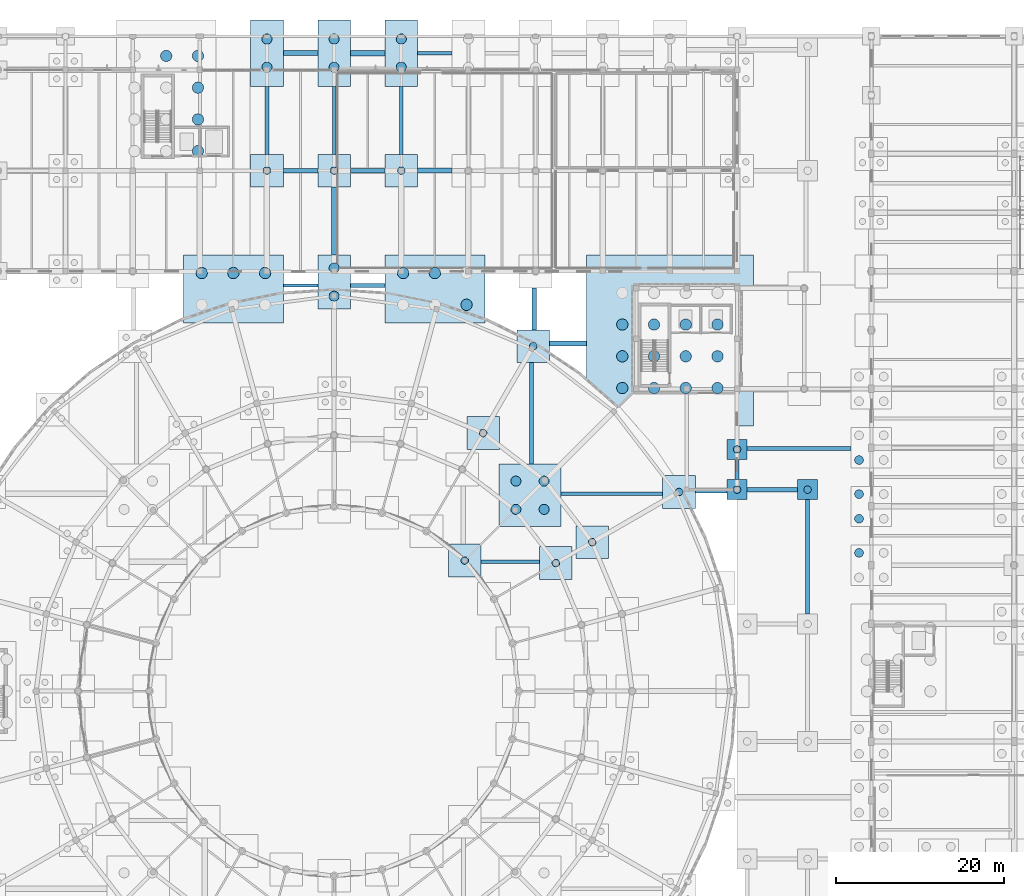
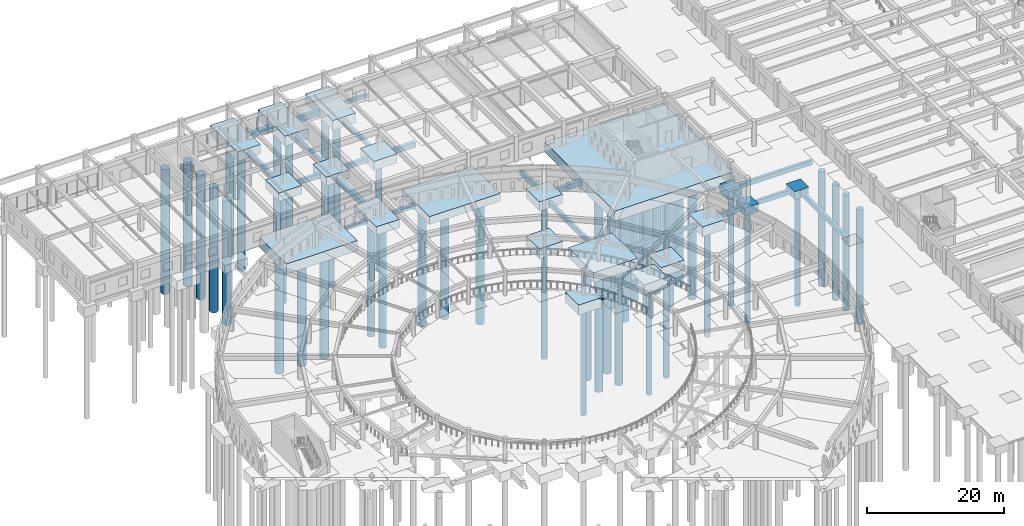
# One storey, part 6 of 84: 51 piles, 42 footings.
"""IFC4 building model written with IfcOpenShell, lengths in metres."""

from ifc_helpers import new_model, si_unit, direction, frame, origin, origin_2d, place, context, subcontext, project, spatial, rectangle, circle, extrude, material, material_profile, profile_set, type_object, element, save


model = new_model("IFC4")

# Units and contexts
model_context = context("Model", 3, precision=1e-05, world=origin(), true_north=direction((0.0, 1.0)))
body_context = subcontext(model_context, "Body", "Model", "MODEL_VIEW")
ifc_project = project(units=[si_unit("LENGTHUNIT", "METRE"), si_unit("AREAUNIT", "SQUARE_METRE"), si_unit("VOLUMEUNIT", "CUBIC_METRE"), si_unit("PLANEANGLEUNIT", "RADIAN"), si_unit("MASSUNIT", "GRAM", prefix="KILO")], contexts=[model_context])

# Site, building, storey
site_placement = place(None, origin())
site = spatial("IfcSite", under=ifc_project, at=site_placement, CompositionType="ELEMENT")
building_placement = place(site_placement, origin())
building = spatial("IfcBuilding", under=site, at=building_placement, Name="Larkveld Mobility Hub", CompositionType="ELEMENT")
storey_placement = place(building_placement, origin())
storey = spatial("IfcBuildingStorey", under=building, at=storey_placement, Name="L00", CompositionType="ELEMENT", Elevation=0.0)

# Footings
ifc_material = material(Name="Concrete C35/45", Category="concrete")
ifc_material_profile_1 = material_profile(ifc_material, rectangle(XDim=0.39990234375, YDim=0.60009765625, at=origin_2d()), Name="RC BM 400x600")
ifc_profile_set_1 = profile_set([ifc_material_profile_1], Name="Concrete C35/45")
footing_type_1 = type_object("IfcFootingType", Name="FT-FB01", PredefinedType="FOOTING_BEAM", material=ifc_profile_set_1)
footing_1_placement = place(storey_placement, frame((65.506103515625, 63.403076171875, -0.64990234375), z_axis=(1.0, 0.0, 0.0), x_axis=(0.0, 1.0, 0.0)))
element("IfcFooting", 1, at=footing_1_placement, inside=storey, type_object=footing_type_1, Name="Ground Tie Beam GB-037", PredefinedType="FOOTING_BEAM", context=body_context, shape_type="SweptSolid", body=[
    extrude(rectangle(XDim=0.39990234375, YDim=0.60009765625, at=origin_2d()), origin(), (0.0, 0.0, 1.0), 6.9580078125),
])
footing_2_placement = place(storey_placement, frame((75.052001953125, 71.529052734375, -0.64990234375), z_axis=(1.0, 0.0, 0.0), x_axis=(0.0, 1.0, 0.0)))
element("IfcFooting", 2, at=footing_2_placement, inside=storey, type_object=footing_type_1, Name="Ground Tie Beam GB-043", PredefinedType="FOOTING_BEAM", context=body_context, shape_type="SweptSolid", body=[
    extrude(rectangle(XDim=0.39990234375, YDim=0.60009765625, at=origin_2d()), origin(), (0.0, 0.0, 1.0), 12.091064453125),
])
for number, where, z_axis, x_axis, name in (
    (3, (41.949951171875, 96.320068359375, -0.64990234375), (1.0, 0.0, 0.0), (0.0, 1.0, 0.0), "Ground Tie Beam GB-055"),
    (4, (57.949951171875, 124.0, -0.64990234375), (1.0, 0.0, 0.0), (0.0, 1.0, 0.0), "Ground Tie Beam GB-085"),
):
    element("IfcFooting", number, at=place(storey_placement, frame(where, z_axis=z_axis, x_axis=x_axis)), inside=storey, type_object=footing_type_1, Name=name, PredefinedType="FOOTING_BEAM", context=body_context, shape_type="SweptSolid", body=[
        extrude(rectangle(XDim=0.39990234375, YDim=0.60009765625, at=origin_2d()), origin(), (0.0, 0.0, 1.0), 4.10009765625),
    ])
footing_3_placement = place(storey_placement, frame((48.0, 111.949951171875, -0.64990234375), z_axis=(0.0, 1.0, 0.0), x_axis=(-1.0, 0.0, 0.0)))
element("IfcFooting", 5, at=footing_3_placement, inside=storey, type_object=footing_type_1, Name="Ground Tie Beam GB-121", PredefinedType="FOOTING_BEAM", context=body_context, shape_type="SweptSolid", body=[
    extrude(rectangle(XDim=0.39990234375, YDim=0.60009765625, at=origin_2d()), origin(), (0.0, 0.0, 1.0), 8.10009765625),
])
ifc_material_profile_2 = material_profile(ifc_material, rectangle(XDim=0.449951171875, YDim=0.699951171875, at=origin_2d()), Name="RC BM 450x700")
ifc_profile_set_2 = profile_set([ifc_material_profile_2], Name="Concrete C35/45")
footing_type_2 = type_object("IfcFootingType", Name="FT-FB02", PredefinedType="FOOTING_BEAM", material=ifc_profile_set_2)
footing_4_placement = place(storey_placement, frame((49.949951171875, 96.320068359375, -0.699951171875), z_axis=(1.0, 0.0, 0.0), x_axis=(0.0, 1.0, 0.0)))
element("IfcFooting", 6, at=footing_4_placement, inside=storey, type_object=footing_type_2, Name="Ground Tie Beam GB-056", PredefinedType="FOOTING_BEAM", context=body_context, shape_type="SweptSolid", body=[
    extrude(rectangle(XDim=0.449951171875, YDim=0.699951171875, at=origin_2d()), origin(), (0.0, 0.0, 1.0), 4.10009765625),
])
for number, where, z_axis, x_axis, name in (
    (7, (40.0, 111.949951171875, -0.699951171875), (0.0, 1.0, 0.0), (-1.0, 0.0, 0.0), "Ground Tie Beam GB-116"),
    (8, (56.0, 111.949951171875, -0.699951171875), (0.0, 1.0, 0.0), (-1.0, 0.0, 0.0), "Ground Tie Beam GB-122"),
):
    element("IfcFooting", number, at=place(storey_placement, frame(where, z_axis=z_axis, x_axis=x_axis)), inside=storey, type_object=footing_type_2, Name=name, PredefinedType="FOOTING_BEAM", context=body_context, shape_type="SweptSolid", body=[
        extrude(rectangle(XDim=0.449951171875, YDim=0.699951171875, at=origin_2d()), origin(), (0.0, 0.0, 1.0), 8.10009765625),
    ])
ifc_material_profile_3 = material_profile(ifc_material, rectangle(XDim=0.5, YDim=0.800048828125, at=origin_2d()), Name="RC BM 500x800")
ifc_profile_set_3 = profile_set([ifc_material_profile_3], Name="Concrete C35/45")
footing_type_3 = type_object("IfcFootingType", Name="FT-FB03", PredefinedType="FOOTING_BEAM", material=ifc_profile_set_3)
footing_5_placement = place(storey_placement, frame((41.949951171875, 110.0, -0.75), z_axis=(1.0, 0.0, 0.0), x_axis=(0.0, 1.0, 0.0)))
element("IfcFooting", 9, at=footing_5_placement, inside=storey, type_object=footing_type_3, Name="Ground Tie Beam GB-069", PredefinedType="FOOTING_BEAM", context=body_context, shape_type="SweptSolid", body=[
    extrude(rectangle(XDim=0.5, YDim=0.800048828125, at=origin_2d()), origin(), (0.0, 0.0, 1.0), 4.10009765625),
])
footing_6_placement = place(storey_placement, frame((71.529052734375, 75.052001953125, -0.75), z_axis=(0.0, 1.0, 0.0), x_axis=(-1.0, 0.0, 0.0)))
element("IfcFooting", 10, at=footing_6_placement, inside=storey, type_object=footing_type_3, Name="Ground Tie Beam GB-129", PredefinedType="FOOTING_BEAM", context=body_context, shape_type="SweptSolid", body=[
    extrude(rectangle(XDim=0.5, YDim=0.800048828125, at=origin_2d()), origin(), (0.0, 0.0, 1.0), 12.091064453125),
])
footing_7_placement = place(storey_placement, frame((91.04296875, 71.862060546875, -0.580078125), z_axis=(1.0, 0.0, 0.0), x_axis=(0.0, 1.0, 0.0)))
element("IfcFooting", 11, at=footing_7_placement, inside=storey, type_object=footing_type_3, Name="Passage Ground Tie Beam PGB-014", PredefinedType="FOOTING_BEAM", context=body_context, shape_type="SweptSolid", body=[
    extrude(rectangle(XDim=0.5, YDim=0.800048828125, at=origin_2d()), origin(), (0.0, 0.0, 1.0), 3.757080078125),
])
footing_8_placement = place(storey_placement, frame((97.199951171875, 72.0, -0.580078125), z_axis=(1.0, 0.0, 0.0), x_axis=(0.0, 1.0, 0.0)))
element("IfcFooting", 12, at=footing_8_placement, inside=storey, type_object=footing_type_3, Name="Passage Ground Tie Beam PGB-015", PredefinedType="FOOTING_BEAM", context=body_context, shape_type="SweptSolid", body=[
    extrude(rectangle(XDim=0.5, YDim=0.800048828125, at=origin_2d()), origin(), (0.0, 0.0, 1.0), 6.0),
])
footing_9_placement = place(storey_placement, frame((97.199951171875, 76.89990234375, -0.580078125), z_axis=(1.0, 0.0, 0.0), x_axis=(0.0, 1.0, 0.0)))
element("IfcFooting", 13, at=footing_9_placement, inside=storey, type_object=footing_type_3, Name="Passage Ground Tie Beam PGB-016", PredefinedType="FOOTING_BEAM", context=body_context, shape_type="SweptSolid", body=[
    extrude(rectangle(XDim=0.5, YDim=0.800048828125, at=origin_2d()), origin(), (0.0, 0.0, 1.0), 12.400146484375),
])
footing_10_placement = place(storey_placement, frame((96.0, 73.199951171875, -0.580078125), z_axis=(0.0, 1.0, 0.0), x_axis=(-1.0, 0.0, 0.0)))
element("IfcFooting", 14, at=footing_10_placement, inside=storey, type_object=footing_type_3, Name="Passage Ground Tie Beam PGB-019", PredefinedType="FOOTING_BEAM", context=body_context, shape_type="SweptSolid", body=[
    extrude(rectangle(XDim=0.5, YDim=0.800048828125, at=origin_2d()), origin(), (0.0, 0.0, 1.0), 2.400146484375),
])
footing_11_placement = place(storey_placement, frame((104.39990234375, 57.199951171875, -0.580078125), z_axis=(0.0, 1.0, 0.0), x_axis=(-1.0, 0.0, 0.0)))
element("IfcFooting", 15, at=footing_11_placement, inside=storey, type_object=footing_type_3, Name="Passage Ground Tie Beam PGB-027", PredefinedType="FOOTING_BEAM", context=body_context, shape_type="SweptSolid", body=[
    extrude(rectangle(XDim=0.5, YDim=0.800048828125, at=origin_2d()), origin(), (0.0, 0.0, 1.0), 13.60009765625),
])
ifc_material_profile_4 = material_profile(ifc_material, rectangle(XDim=0.550048828125, YDim=0.85009765625, at=origin_2d()), Name="RC BM 550x850")
ifc_profile_set_4 = profile_set([ifc_material_profile_4], Name="Concrete C35/45")
footing_type_4 = type_object("IfcFootingType", Name="FT-FB04", PredefinedType="FOOTING_BEAM", material=ifc_profile_set_4)
footing_12_placement = place(storey_placement, frame((49.949951171875, 110.0, -0.77490234375), z_axis=(1.0, 0.0, 0.0), x_axis=(0.0, 1.0, 0.0)))
element("IfcFooting", 16, at=footing_12_placement, inside=storey, type_object=footing_type_4, Name="Ground Tie Beam GB-070", PredefinedType="FOOTING_BEAM", context=body_context, shape_type="SweptSolid", body=[
    extrude(rectangle(XDim=0.550048828125, YDim=0.85009765625, at=origin_2d()), origin(), (0.0, 0.0, 1.0), 4.10009765625),
])
footing_13_placement = place(storey_placement, frame((71.862060546875, 91.04296875, -0.77490234375), z_axis=(0.0, 1.0, 0.0), x_axis=(-1.0, 0.0, 0.0)))
element("IfcFooting", 17, at=footing_13_placement, inside=storey, type_object=footing_type_4, Name="Ground Tie Beam GB-130", PredefinedType="FOOTING_BEAM", context=body_context, shape_type="SweptSolid", body=[
    extrude(rectangle(XDim=0.550048828125, YDim=0.85009765625, at=origin_2d()), origin(), (0.0, 0.0, 1.0), 5.007080078125),
])
ifc_material_profile_5 = material_profile(ifc_material, rectangle(XDim=0.60009765625, YDim=0.89990234375, at=origin_2d()), Name="RC BM 600x900")
ifc_profile_set_5 = profile_set([ifc_material_profile_5], Name="Concrete C35/45")
footing_type_5 = type_object("IfcFootingType", Name="FT-FB05", PredefinedType="FOOTING_BEAM", material=ifc_profile_set_5)
footing_14_placement = place(storey_placement, frame((73.675048828125, 89.43408203125, -0.800048828125), z_axis=(1.0, 0.0, 0.0), x_axis=(0.0, 1.0, 0.0)))
element("IfcFooting", 18, at=footing_14_placement, inside=storey, type_object=footing_type_5, Name="Ground Tie Beam GB-053", PredefinedType="FOOTING_BEAM", context=body_context, shape_type="SweptSolid", body=[
    extrude(rectangle(XDim=0.60009765625, YDim=0.89990234375, at=origin_2d()), origin(), (0.0, 0.0, 1.0), 4.375),
])
for number, where, z_axis, x_axis, name in (
    (19, (57.949951171875, 110.0, -0.800048828125), (1.0, 0.0, 0.0), (0.0, 1.0, 0.0), "Ground Tie Beam GB-071"),
    (20, (41.949951171875, 124.0, -0.800048828125), (1.0, 0.0, 0.0), (0.0, 1.0, 0.0), "Ground Tie Beam GB-083"),
):
    element("IfcFooting", number, at=place(storey_placement, frame(where, z_axis=z_axis, x_axis=x_axis)), inside=storey, type_object=footing_type_5, Name=name, PredefinedType="FOOTING_BEAM", context=body_context, shape_type="SweptSolid", body=[
        extrude(rectangle(XDim=0.60009765625, YDim=0.89990234375, at=origin_2d()), origin(), (0.0, 0.0, 1.0), 4.10009765625),
    ])
ifc_material_profile_6 = material_profile(ifc_material, rectangle(XDim=0.64990234375, YDim=1.0, at=origin_2d()), Name="RC BM 650x1000")
ifc_profile_set_6 = profile_set([ifc_material_profile_6], Name="Concrete C35/45")
footing_type_6 = type_object("IfcFootingType", Name="FT-FB06", PredefinedType="FOOTING_BEAM", material=ifc_profile_set_6)
footing_15_placement = place(storey_placement, frame((49.949951171875, 124.0, -0.85009765625), z_axis=(1.0, 0.0, 0.0), x_axis=(0.0, 1.0, 0.0)))
element("IfcFooting", 21, at=footing_15_placement, inside=storey, type_object=footing_type_6, Name="Ground Tie Beam GB-084", PredefinedType="FOOTING_BEAM", context=body_context, shape_type="SweptSolid", body=[
    extrude(rectangle(XDim=0.64990234375, YDim=1.0, at=origin_2d()), origin(), (0.0, 0.0, 1.0), 4.10009765625),
])
footing_16_placement = place(storey_placement, frame((48.0, 99.949951171875, -0.85009765625), z_axis=(0.0, 1.0, 0.0), x_axis=(-1.0, 0.0, 0.0)))
element("IfcFooting", 22, at=footing_16_placement, inside=storey, type_object=footing_type_6, Name="Ground Tie Beam GB-120", PredefinedType="FOOTING_BEAM", context=body_context, shape_type="SweptSolid", body=[
    extrude(rectangle(XDim=0.64990234375, YDim=1.0, at=origin_2d()), origin(), (0.0, 0.0, 1.0), 8.10009765625),
])
footing_type_7 = type_object("IfcFootingType", Name="FT-PC03", PredefinedType="PILE_CAP", material=ifc_material)
footing_17_placement = place(storey_placement, frame((40.0, 110.0, -1.5), z_axis=(0.0, 0.0, 1.0), x_axis=(1.0, 0.0, 0.0)))
element("IfcFooting", 23, at=footing_17_placement, inside=storey, type_object=footing_type_7, Name="Pile Cap PC-179", PredefinedType="PILE_CAP", context=body_context, shape_type="SweptSolid", body=[
    extrude(rectangle(XDim=3.89990234375, YDim=3.89990234375, at=origin_2d()), origin(), (0.0, 0.0, 1.0), 1.5),
])
footing_type_8 = type_object("IfcFootingType", Name="FT-PC04", PredefinedType="PILE_CAP", material=ifc_material)
footing_18_placement = place(storey_placement, frame((48.0, 110.0, -1.5498046875), z_axis=(0.0, 0.0, 1.0), x_axis=(1.0, 0.0, 0.0)))
element("IfcFooting", 24, at=footing_18_placement, inside=storey, type_object=footing_type_8, Name="Pile Cap PC-180", PredefinedType="PILE_CAP", context=body_context, shape_type="SweptSolid", body=[
    extrude(rectangle(XDim=3.89990234375, YDim=3.89990234375, at=origin_2d()), origin(), (0.0, 0.0, 1.0), 1.550048828125),
])
footing_type_9 = type_object("IfcFootingType", Name="FT-PC05", PredefinedType="PILE_CAP", material=ifc_material)
footing_19_placement = place(storey_placement, frame((56.0, 110.0, -1.60009765625), z_axis=(0.0, 0.0, 1.0), x_axis=(1.0, 0.0, 0.0)))
element("IfcFooting", 25, at=footing_19_placement, inside=storey, type_object=footing_type_9, Name="Pile Cap PC-181", PredefinedType="PILE_CAP", context=body_context, shape_type="SweptSolid", body=[
    extrude(rectangle(XDim=3.89990234375, YDim=3.89990234375, at=origin_2d()), origin(), (0.0, 0.0, 1.0), 1.60009765625),
])
footing_type_10 = type_object("IfcFootingType", Name="FT-PC07", PredefinedType="PILE_CAP", material=ifc_material)
footing_20_placement = place(storey_placement, frame((71.72509765625, 89.093017578125, -1.64990234375), z_axis=(0.0, 0.0, 1.0), x_axis=(1.0, 0.0, 0.0)))
element("IfcFooting", 26, at=footing_20_placement, inside=storey, type_object=footing_type_10, Name="Pile Cap PC-151", PredefinedType="PILE_CAP", context=body_context, shape_type="SweptSolid", body=[
    extrude(rectangle(XDim=3.89990234375, YDim=3.89990234375, at=origin_2d()), origin(), (0.0, 0.0, 1.0), 1.64990234375),
])
footing_type_11 = type_object("IfcFootingType", Name="FT-PC08", PredefinedType="PILE_CAP", material=ifc_material)
footing_21_placement = place(storey_placement, frame((71.333984375, 71.333984375, -1.7001953125), z_axis=(0.0, 0.0, 1.0), x_axis=(1.0, 0.0, 0.0)))
element("IfcFooting", 27, at=footing_21_placement, inside=storey, type_object=footing_type_11, Name="Pile Cap PC-120", PredefinedType="PILE_CAP", context=body_context, shape_type="SweptSolid", body=[
    extrude(rectangle(XDim=7.43505859375, YDim=7.43505859375, at=origin_2d()), origin(), (0.0, 0.0, 1.0), 1.699951171875),
])
footing_22_placement = place(storey_placement, frame((40.0, 124.0, -1.7001953125), z_axis=(0.0, 0.0, 1.0), x_axis=(1.0, 0.0, 0.0)))
element("IfcFooting", 28, at=footing_22_placement, inside=storey, type_object=footing_type_11, Name="Pile Cap PC-200", PredefinedType="PILE_CAP", context=body_context, shape_type="SweptSolid", body=[
    extrude(rectangle(XDim=3.89990234375, YDim=7.89990234375, at=origin_2d()), origin(), (0.0, 0.0, 1.0), 1.699951171875),
])
footing_type_12 = type_object("IfcFootingType", Name="FT-PC09", PredefinedType="PILE_CAP", material=ifc_material)
footing_23_placement = place(storey_placement, frame((65.75, 78.743896484375, -1.75), z_axis=(0.0, 0.0, 1.0), x_axis=(1.0, 0.0, 0.0)))
element("IfcFooting", 29, at=footing_23_placement, inside=storey, type_object=footing_type_12, Name="Pile Cap PC-137", PredefinedType="PILE_CAP", context=body_context, shape_type="SweptSolid", body=[
    extrude(rectangle(XDim=3.89990234375, YDim=3.89990234375, at=origin_2d()), origin(), (0.0, 0.0, 1.0), 1.75),
])
footing_24_placement = place(storey_placement, frame((48.0, 124.0, -1.75), z_axis=(0.0, 0.0, 1.0), x_axis=(1.0, 0.0, 0.0)))
element("IfcFooting", 30, at=footing_24_placement, inside=storey, type_object=footing_type_12, Name="Pile Cap PC-201", PredefinedType="PILE_CAP", context=body_context, shape_type="SweptSolid", body=[
    extrude(rectangle(XDim=3.89990234375, YDim=7.89990234375, at=origin_2d()), origin(), (0.0, 0.0, 1.0), 1.75),
])
footing_type_13 = type_object("IfcFootingType", Name="FT-PC10", PredefinedType="PILE_CAP", material=ifc_material)
footing_25_placement = place(storey_placement, frame((74.4140625, 63.25, -1.75), z_axis=(0.0, 0.0, 1.0), x_axis=(1.0, 0.0, 0.0)))
element("IfcFooting", 31, at=footing_25_placement, inside=storey, type_object=footing_type_13, Name="Pile Cap PC-106", PredefinedType="PILE_CAP", context=body_context, shape_type="SweptSolid", body=[
    extrude(rectangle(XDim=3.89990234375, YDim=3.89990234375, at=origin_2d()), origin(), (0.0, 0.0, 1.0), 1.75),
])
footing_26_placement = place(storey_placement, frame((56.0, 124.0, -1.75), z_axis=(0.0, 0.0, 1.0), x_axis=(1.0, 0.0, 0.0)))
element("IfcFooting", 32, at=footing_26_placement, inside=storey, type_object=footing_type_13, Name="Pile Cap PC-202", PredefinedType="PILE_CAP", context=body_context, shape_type="SweptSolid", body=[
    extrude(rectangle(XDim=3.89990234375, YDim=7.89990234375, at=origin_2d()), origin(), (0.0, 0.0, 1.0), 1.75),
])
footing_type_14 = type_object("IfcFootingType", Name="FT-PC11", PredefinedType="PILE_CAP", material=ifc_material)
footing_27_placement = place(storey_placement, frame((88.0, 89.77587890625, -1.7998046875), z_axis=(0.0, 0.0, 1.0), x_axis=(1.0, 0.0, 0.0)))
element("IfcFooting", 33, at=footing_27_placement, inside=storey, type_object=footing_type_14, Name="Pile Cap PC-139", PredefinedType="PILE_CAP", context=body_context, shape_type="SweptSolid", body=[
    extrude(rectangle(XDim=19.89990234375, YDim=20.347900390625, at=origin_2d()), origin(), (0.0, 0.0, 1.0), 1.800048828125),
])
footing_type_15 = type_object("IfcFootingType", Name="FT-PC12", PredefinedType="PILE_CAP", material=ifc_material)
for number, where, z_axis, x_axis, name in (
    (34, (63.555908203125, 63.555908203125, -1.7998046875), (0.0, 0.0, 1.0), (1.0, 0.0, 0.0), "Pile Cap PC-108"),
    (35, (89.093017578125, 71.72509765625, -1.7998046875), (0.0, 0.0, 1.0), (1.0, 0.0, 0.0), "Pile Cap PC-124"),
):
    element("IfcFooting", number, at=place(storey_placement, frame(where, z_axis=z_axis, x_axis=x_axis)), inside=storey, type_object=footing_type_15, Name=name, PredefinedType="PILE_CAP", context=body_context, shape_type="SweptSolid", body=[
        extrude(rectangle(XDim=3.89990234375, YDim=3.89990234375, at=origin_2d()), origin(), (0.0, 0.0, 1.0), 1.800048828125),
    ])
footing_28_placement = place(storey_placement, frame((36.0, 95.916015625, -1.7998046875), z_axis=(0.0, 0.0, 1.0), x_axis=(1.0, 0.0, 0.0)))
element("IfcFooting", 36, at=footing_28_placement, inside=storey, type_object=footing_type_15, Name="Pile Cap PC-156", PredefinedType="PILE_CAP", context=body_context, shape_type="SweptSolid", body=[
    extrude(rectangle(XDim=11.89990234375, YDim=8.06689453125, at=origin_2d()), origin(), (0.0, 0.0, 1.0), 1.800048828125),
])
footing_type_16 = type_object("IfcFootingType", Name="FT-PC13", PredefinedType="PILE_CAP", material=ifc_material)
footing_29_placement = place(storey_placement, frame((60.0, 95.916015625, -1.419921875), z_axis=(0.0, 0.0, 1.0), x_axis=(1.0, 0.0, 0.0)))
element("IfcFooting", 37, at=footing_29_placement, inside=storey, type_object=footing_type_16, Name="Pile Cap PC-157", PredefinedType="PILE_CAP", context=body_context, shape_type="SweptSolid", body=[
    extrude(rectangle(XDim=11.89990234375, YDim=8.06689453125, at=origin_2d()), origin(), (0.0, 0.0, 1.0), 1.419921875),
])
for number, where, z_axis, x_axis, name in (
    (38, (96.0, 72.0, -1.419921875), (0.0, 0.0, 1.0), (1.0, 0.0, 0.0), "Plinth Pile Cap PC-DL01"),
    (39, (96.0, 76.800048828125, -1.419921875), (0.0, 0.0, 1.0), (1.0, 0.0, 0.0), "Plinth Pile Cap PC-DL02"),
    (40, (104.39990234375, 72.0, -1.419921875), (0.0, 0.0, 1.0), (1.0, 0.0, 0.0), "Plinth Pile Cap PC-DL18"),
):
    element("IfcFooting", number, at=place(storey_placement, frame(where, z_axis=z_axis, x_axis=x_axis)), inside=storey, type_object=footing_type_16, Name=name, PredefinedType="PILE_CAP", context=body_context, shape_type="SweptSolid", body=[
        extrude(rectangle(XDim=2.39990234375, YDim=2.39990234375, at=origin_2d()), origin(), (0.0, 0.0, 1.0), 1.419921875),
    ])
footing_type_17 = type_object("IfcFootingType", Name="FT-PC14", PredefinedType="PILE_CAP", material=ifc_material)
footing_30_placement = place(storey_placement, frame((48.0, 96.72509765625, -1.47998046875), z_axis=(0.0, 0.0, 1.0), x_axis=(1.0, 0.0, 0.0)))
element("IfcFooting", 41, at=footing_30_placement, inside=storey, type_object=footing_type_17, Name="Pile Cap PC-158", PredefinedType="PILE_CAP", context=body_context, shape_type="SweptSolid", body=[
    extrude(rectangle(XDim=3.89990234375, YDim=6.449951171875, at=origin_2d()), origin(), (0.0, 0.0, 1.0), 1.47998046875),
])
footing_type_18 = type_object("IfcFootingType", Name="FT-PC15", PredefinedType="PILE_CAP", material=ifc_material)
footing_31_placement = place(storey_placement, frame((78.743896484375, 65.75, -1.6201171875), z_axis=(0.0, 0.0, 1.0), x_axis=(1.0, 0.0, 0.0)))
element("IfcFooting", 42, at=footing_31_placement, inside=storey, type_object=footing_type_18, Name="Pile Cap PC-111", PredefinedType="PILE_CAP", context=body_context, shape_type="SweptSolid", body=[
    extrude(rectangle(XDim=3.89990234375, YDim=3.89990234375, at=origin_2d()), origin(), (0.0, 0.0, 1.0), 1.6201171875),
])

# Piles
ifc_material_profile_7 = material_profile(ifc_material, circle(Radius=0.449951171875, at=origin_2d()), Name="PILE D900")
ifc_profile_set_7 = profile_set([ifc_material_profile_7], Name="Concrete C35/45")
pile_type_1 = type_object("IfcPileType", Name="PL-B0900", PredefinedType="BORED", material=ifc_profile_set_7)
pile_1_placement = place(storey_placement, frame((74.4140625, 63.25, -1.64990234375), z_axis=(0.0, 0.0, -1.0), x_axis=(1.0, 0.0, 0.0)))
element("IfcPile", 43, at=pile_1_placement, inside=storey, type_object=pile_type_1, Name="Bored Pile P-0315", PredefinedType="BORED", context=body_context, shape_type="SweptSolid", body=[
    extrude(circle(Radius=0.449951171875, at=origin_2d()), origin(), (0.0, 0.0, 1.0), 19.550048828125),
])
pile_2_placement = place(storey_placement, frame((63.555908203125, 63.555908203125, -1.699951171875), z_axis=(0.0, 0.0, -1.0), x_axis=(1.0, 0.0, 0.0)))
element("IfcPile", 44, at=pile_2_placement, inside=storey, type_object=pile_type_1, Name="Bored Pile P-0317", PredefinedType="BORED", context=body_context, shape_type="SweptSolid", body=[
    extrude(circle(Radius=0.449951171875, at=origin_2d()), origin(), (0.0, 0.0, 1.0), 19.5),
])
pile_3_placement = place(storey_placement, frame((78.743896484375, 65.75, -1.52001953125), z_axis=(0.0, 0.0, -1.0), x_axis=(1.0, 0.0, 0.0)))
element("IfcPile", 45, at=pile_3_placement, inside=storey, type_object=pile_type_1, Name="Bored Pile P-0323", PredefinedType="BORED", context=body_context, shape_type="SweptSolid", body=[
    extrude(circle(Radius=0.449951171875, at=origin_2d()), origin(), (0.0, 0.0, 1.0), 19.679931640625),
])
pile_4_placement = place(storey_placement, frame((89.093017578125, 71.72509765625, -1.699951171875), z_axis=(0.0, 0.0, -1.0), x_axis=(1.0, 0.0, 0.0)))
element("IfcPile", 46, at=pile_4_placement, inside=storey, type_object=pile_type_1, Name="Bored Pile P-0354", PredefinedType="BORED", context=body_context, shape_type="SweptSolid", body=[
    extrude(circle(Radius=0.449951171875, at=origin_2d()), origin(), (0.0, 0.0, 1.0), 19.5),
])
pile_5_placement = place(storey_placement, frame((65.75, 78.743896484375, -1.64990234375), z_axis=(0.0, 0.0, -1.0), x_axis=(1.0, 0.0, 0.0)))
element("IfcPile", 47, at=pile_5_placement, inside=storey, type_object=pile_type_1, Name="Bored Pile P-0385", PredefinedType="BORED", context=body_context, shape_type="SweptSolid", body=[
    extrude(circle(Radius=0.449951171875, at=origin_2d()), origin(), (0.0, 0.0, 1.0), 19.550048828125),
])
pile_6_placement = place(storey_placement, frame((71.72509765625, 89.093017578125, -1.550048828125), z_axis=(0.0, 0.0, -1.0), x_axis=(1.0, 0.0, 0.0)))
element("IfcPile", 48, at=pile_6_placement, inside=storey, type_object=pile_type_1, Name="Bored Pile P-0444", PredefinedType="BORED", context=body_context, shape_type="SweptSolid", body=[
    extrude(circle(Radius=0.449951171875, at=origin_2d()), origin(), (0.0, 0.0, 1.0), 19.64990234375),
])
pile_7_placement = place(storey_placement, frame((40.0, 110.0, -1.39990234375), z_axis=(0.0, 0.0, -1.0), x_axis=(1.0, 0.0, 0.0)))
element("IfcPile", 49, at=pile_7_placement, inside=storey, type_object=pile_type_1, Name="Bored Pile P-0519", PredefinedType="BORED", context=body_context, shape_type="SweptSolid", body=[
    extrude(circle(Radius=0.449951171875, at=origin_2d()), origin(), (0.0, 0.0, 1.0), 19.800048828125),
])
pile_8_placement = place(storey_placement, frame((48.0, 110.0, -1.449951171875), z_axis=(0.0, 0.0, -1.0), x_axis=(1.0, 0.0, 0.0)))
element("IfcPile", 50, at=pile_8_placement, inside=storey, type_object=pile_type_1, Name="Bored Pile P-0520", PredefinedType="BORED", context=body_context, shape_type="SweptSolid", body=[
    extrude(circle(Radius=0.449951171875, at=origin_2d()), origin(), (0.0, 0.0, 1.0), 19.75),
])
pile_9_placement = place(storey_placement, frame((56.0, 110.0, -1.5), z_axis=(0.0, 0.0, -1.0), x_axis=(1.0, 0.0, 0.0)))
element("IfcPile", 51, at=pile_9_placement, inside=storey, type_object=pile_type_1, Name="Bored Pile P-0521", PredefinedType="BORED", context=body_context, shape_type="SweptSolid", body=[
    extrude(circle(Radius=0.449951171875, at=origin_2d()), origin(), (0.0, 0.0, 1.0), 19.699951171875),
])
for number, where, z_axis, x_axis, name in (
    (52, (96.0, 72.0, -1.320068359375), (0.0, 0.0, -1.0), (1.0, 0.0, 0.0), "Bored Pile P-DL01"),
    (53, (96.0, 76.800048828125, -1.320068359375), (0.0, 0.0, -1.0), (1.0, 0.0, 0.0), "Bored Pile P-DL02"),
    (54, (104.39990234375, 72.0, -1.320068359375), (0.0, 0.0, -1.0), (1.0, 0.0, 0.0), "Bored Pile P-DL18"),
):
    element("IfcPile", number, at=place(storey_placement, frame(where, z_axis=z_axis, x_axis=x_axis)), inside=storey, type_object=pile_type_1, Name=name, PredefinedType="BORED", context=body_context, shape_type="SweptSolid", body=[
        extrude(circle(Radius=0.449951171875, at=origin_2d()), origin(), (0.0, 0.0, 1.0), 19.8798828125),
    ])
ifc_material_profile_8 = material_profile(ifc_material, circle(Radius=0.52490234375, at=origin_2d()), Name="PILE D1050")
ifc_profile_set_8 = profile_set([ifc_material_profile_8], Name="Concrete C35/45")
pile_type_2 = type_object("IfcPileType", Name="PL-B1050", PredefinedType="BORED", material=ifc_profile_set_8)
pile_10_placement = place(storey_placement, frame((110.530029296875, 64.469970703125, -1.60009765625), z_axis=(0.0, 0.0, -1.0), x_axis=(1.0, 0.0, 0.0)))
element("IfcPile", 55, at=pile_10_placement, inside=storey, type_object=pile_type_2, Name="Bored Pile P-0311", PredefinedType="BORED", context=body_context, shape_type="SweptSolid", body=[
    extrude(circle(Radius=0.52490234375, at=origin_2d()), origin(), (0.0, 0.0, 1.0), 20.39990234375),
])
for number, where, z_axis, x_axis, name in (
    (56, (110.530029296875, 68.530029296875, -1.449951171875), (0.0, 0.0, -1.0), (1.0, 0.0, 0.0), "Bored Pile P-0328"),
    (57, (110.530029296875, 71.469970703125, -1.449951171875), (0.0, 0.0, -1.0), (1.0, 0.0, 0.0), "Bored Pile P-0329"),
):
    element("IfcPile", number, at=place(storey_placement, frame(where, z_axis=z_axis, x_axis=x_axis)), inside=storey, type_object=pile_type_2, Name=name, PredefinedType="BORED", context=body_context, shape_type="SweptSolid", body=[
        extrude(circle(Radius=0.52490234375, at=origin_2d()), origin(), (0.0, 0.0, 1.0), 20.550048828125),
    ])
pile_11_placement = place(storey_placement, frame((110.530029296875, 75.530029296875, -1.52001953125), z_axis=(0.0, 0.0, -1.0), x_axis=(1.0, 0.0, 0.0)))
element("IfcPile", 58, at=pile_11_placement, inside=storey, type_object=pile_type_2, Name="Bored Pile P-0357", PredefinedType="BORED", context=body_context, shape_type="SweptSolid", body=[
    extrude(circle(Radius=0.52490234375, at=origin_2d()), origin(), (0.0, 0.0, 1.0), 20.47998046875),
])
ifc_material_profile_9 = material_profile(ifc_material, circle(Radius=0.60009765625, at=origin_2d()), Name="PILE D1200")
ifc_profile_set_9 = profile_set([ifc_material_profile_9], Name="Concrete C35/45")
pile_type_3 = type_object("IfcPileType", Name="PL-B1200", PredefinedType="BORED", material=ifc_profile_set_9)
for number, where, z_axis, x_axis, name in (
    (59, (69.654052734375, 69.654052734375, -1.60009765625), (0.0, 0.0, -1.0), (1.0, 0.0, 0.0), "Bored Pile P-0344"),
    (60, (69.654052734375, 73.013916015625, -1.60009765625), (0.0, 0.0, -1.0), (1.0, 0.0, 0.0), "Bored Pile P-0345"),
    (61, (73.013916015625, 69.654052734375, -1.60009765625), (0.0, 0.0, -1.0), (1.0, 0.0, 0.0), "Bored Pile P-0346"),
    (62, (73.013916015625, 73.013916015625, -1.60009765625), (0.0, 0.0, -1.0), (1.0, 0.0, 0.0), "Bored Pile P-0347"),
):
    element("IfcPile", number, at=place(storey_placement, frame(where, z_axis=z_axis, x_axis=x_axis)), inside=storey, type_object=pile_type_3, Name=name, PredefinedType="BORED", context=body_context, shape_type="SweptSolid", body=[
        extrude(circle(Radius=0.60009765625, at=origin_2d()), origin(), (0.0, 0.0, 1.0), 21.199951171875),
    ])
for number, where, z_axis, x_axis, name in (
    (63, (48.0, 95.044921875, -1.3798828125), (0.0, 0.0, -1.0), (1.0, 0.0, 0.0), "Bored Pile P-0462"),
    (64, (48.0, 98.405029296875, -1.3798828125), (0.0, 0.0, -1.0), (1.0, 0.0, 0.0), "Bored Pile P-0463"),
):
    element("IfcPile", number, at=place(storey_placement, frame(where, z_axis=z_axis, x_axis=x_axis)), inside=storey, type_object=pile_type_3, Name=name, PredefinedType="BORED", context=body_context, shape_type="SweptSolid", body=[
        extrude(circle(Radius=0.60009765625, at=origin_2d()), origin(), (0.0, 0.0, 1.0), 21.419921875),
    ])
for number, where, z_axis, x_axis, name in (
    (65, (40.0, 122.320068359375, -1.60009765625), (0.0, 0.0, -1.0), (1.0, 0.0, 0.0), "Bored Pile P-0558"),
    (66, (40.0, 125.679931640625, -1.60009765625), (0.0, 0.0, -1.0), (1.0, 0.0, 0.0), "Bored Pile P-0559"),
):
    element("IfcPile", number, at=place(storey_placement, frame(where, z_axis=z_axis, x_axis=x_axis)), inside=storey, type_object=pile_type_3, Name=name, PredefinedType="BORED", context=body_context, shape_type="SweptSolid", body=[
        extrude(circle(Radius=0.60009765625, at=origin_2d()), origin(), (0.0, 0.0, 1.0), 21.199951171875),
    ])
for number, where, z_axis, x_axis, name in (
    (67, (48.0, 122.320068359375, -1.64990234375), (0.0, 0.0, -1.0), (1.0, 0.0, 0.0), "Bored Pile P-0560"),
    (68, (48.0, 125.679931640625, -1.64990234375), (0.0, 0.0, -1.0), (1.0, 0.0, 0.0), "Bored Pile P-0561"),
    (69, (56.0, 122.320068359375, -1.64990234375), (0.0, 0.0, -1.0), (1.0, 0.0, 0.0), "Bored Pile P-0562"),
    (70, (56.0, 125.679931640625, -1.64990234375), (0.0, 0.0, -1.0), (1.0, 0.0, 0.0), "Bored Pile P-0563"),
):
    element("IfcPile", number, at=place(storey_placement, frame(where, z_axis=z_axis, x_axis=x_axis)), inside=storey, type_object=pile_type_3, Name=name, PredefinedType="BORED", context=body_context, shape_type="SweptSolid", body=[
        extrude(circle(Radius=0.60009765625, at=origin_2d()), origin(), (0.0, 0.0, 1.0), 21.14990234375),
    ])
ifc_material_profile_10 = material_profile(ifc_material, circle(Radius=0.675048828125, at=origin_2d()), Name="PILE D1350")
ifc_profile_set_10 = profile_set([ifc_material_profile_10], Name="Concrete C35/45")
pile_type_4 = type_object("IfcPileType", Name="PL-B1350", PredefinedType="BORED", material=ifc_profile_set_10)
for number, where, z_axis, x_axis, name in (
    (71, (82.330078125, 84.10595703125, -1.699951171875), (0.0, 0.0, -1.0), (1.0, 0.0, 0.0), "Bored Pile P-0390"),
    (72, (82.330078125, 87.885986328125, -1.699951171875), (0.0, 0.0, -1.0), (1.0, 0.0, 0.0), "Bored Pile P-0391"),
    (73, (82.330078125, 91.666015625, -1.699951171875), (0.0, 0.0, -1.0), (1.0, 0.0, 0.0), "Bored Pile P-0392"),
    (74, (86.110107421875, 84.10595703125, -1.699951171875), (0.0, 0.0, -1.0), (1.0, 0.0, 0.0), "Bored Pile P-0394"),
    (75, (86.110107421875, 87.885986328125, -1.699951171875), (0.0, 0.0, -1.0), (1.0, 0.0, 0.0), "Bored Pile P-0395"),
    (76, (86.110107421875, 91.666015625, -1.699951171875), (0.0, 0.0, -1.0), (1.0, 0.0, 0.0), "Bored Pile P-0396"),
    (77, (89.889892578125, 84.10595703125, -1.699951171875), (0.0, 0.0, -1.0), (1.0, 0.0, 0.0), "Bored Pile P-0398"),
    (78, (89.889892578125, 87.885986328125, -1.699951171875), (0.0, 0.0, -1.0), (1.0, 0.0, 0.0), "Bored Pile P-0399"),
    (79, (89.889892578125, 91.666015625, -1.699951171875), (0.0, 0.0, -1.0), (1.0, 0.0, 0.0), "Bored Pile P-0400"),
    (80, (93.669921875, 84.10595703125, -1.699951171875), (0.0, 0.0, -1.0), (1.0, 0.0, 0.0), "Bored Pile P-0402"),
    (81, (93.669921875, 87.885986328125, -1.699951171875), (0.0, 0.0, -1.0), (1.0, 0.0, 0.0), "Bored Pile P-0403"),
    (82, (93.669921875, 91.666015625, -1.699951171875), (0.0, 0.0, -1.0), (1.0, 0.0, 0.0), "Bored Pile P-0404"),
    (83, (32.219970703125, 97.805908203125, -1.699951171875), (0.0, 0.0, -1.0), (1.0, 0.0, 0.0), "Bored Pile P-0451"),
    (84, (36.0, 97.805908203125, -1.699951171875), (0.0, 0.0, -1.0), (1.0, 0.0, 0.0), "Bored Pile P-0453"),
    (85, (39.780029296875, 97.805908203125, -1.699951171875), (0.0, 0.0, -1.0), (1.0, 0.0, 0.0), "Bored Pile P-0455"),
):
    element("IfcPile", number, at=place(storey_placement, frame(where, z_axis=z_axis, x_axis=x_axis)), inside=storey, type_object=pile_type_4, Name=name, PredefinedType="BORED", context=body_context, shape_type="SweptSolid", body=[
        extrude(circle(Radius=0.675048828125, at=origin_2d()), origin(), (0.0, 0.0, 1.0), 21.800048828125),
    ])
for number, where, z_axis, x_axis, name in (
    (86, (56.219970703125, 97.805908203125, -1.320068359375), (0.0, 0.0, -1.0), (1.0, 0.0, 0.0), "Bored Pile P-0457"),
    (87, (60.0, 97.805908203125, -1.320068359375), (0.0, 0.0, -1.0), (1.0, 0.0, 0.0), "Bored Pile P-0459"),
    (88, (63.780029296875, 94.02587890625, -1.320068359375), (0.0, 0.0, -1.0), (1.0, 0.0, 0.0), "Bored Pile P-0460"),
):
    element("IfcPile", number, at=place(storey_placement, frame(where, z_axis=z_axis, x_axis=x_axis)), inside=storey, type_object=pile_type_4, Name=name, PredefinedType="BORED", context=body_context, shape_type="SweptSolid", body=[
        extrude(circle(Radius=0.675048828125, at=origin_2d()), origin(), (0.0, 0.0, 1.0), 22.179931640625),
    ])
for number, where, z_axis, x_axis, name in (
    (89, (28.0, 123.669921875, -1.35009765625), (0.0, 0.0, -1.0), (1.0, 0.0, 0.0), "Bored Pile P-0514"),
    (90, (31.780029296875, 112.330078125, -1.35009765625), (0.0, 0.0, -1.0), (1.0, 0.0, 0.0), "Bored Pile P-0515"),
    (91, (31.780029296875, 116.110107421875, -1.35009765625), (0.0, 0.0, -1.0), (1.0, 0.0, 0.0), "Bored Pile P-0516"),
    (92, (31.780029296875, 119.889892578125, -1.35009765625), (0.0, 0.0, -1.0), (1.0, 0.0, 0.0), "Bored Pile P-0517"),
    (93, (31.780029296875, 123.669921875, -1.35009765625), (0.0, 0.0, -1.0), (1.0, 0.0, 0.0), "Bored Pile P-0518"),
):
    element("IfcPile", number, at=place(storey_placement, frame(where, z_axis=z_axis, x_axis=x_axis)), inside=storey, type_object=pile_type_4, Name=name, PredefinedType="BORED", context=body_context, shape_type="SweptSolid", body=[
        extrude(circle(Radius=0.675048828125, at=origin_2d()), origin(), (0.0, 0.0, 1.0), 22.14990234375),
    ])

save(model, "model.ifc")
